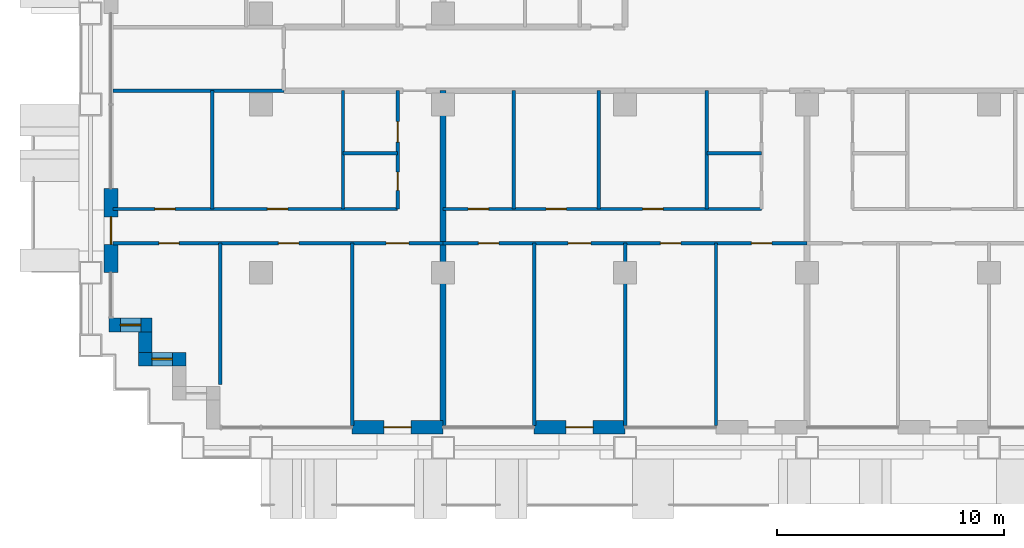
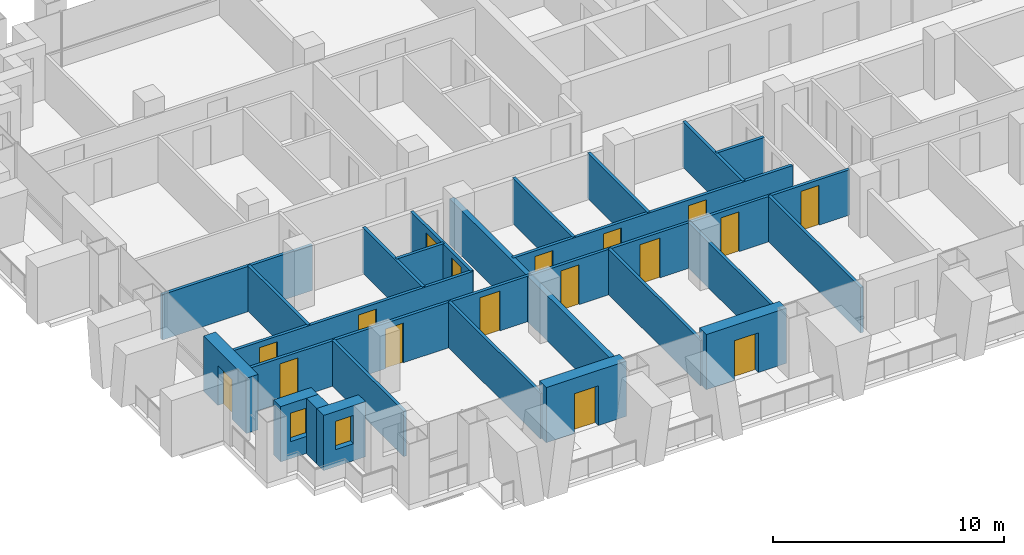
# One storey, part 9 of 19: 25 walls, 17 doors, 2 windows, 19 openings.
"""IFC4 building model written with IfcOpenShell, lengths in metres."""

from ifc_helpers import new_model, si_unit, direction, frame, frame_2d, origin, place, context, subcontext, project, spatial, rectangle, extrude, material, layer, layer_set, type_object, element, fill, save


model = new_model("IFC4")

# Units and contexts
model_context = context("Model", 3, precision=1e-05, world=origin(), true_north=direction((0.0, 1.0)))
body_context = subcontext(model_context, "Body", "Model", "MODEL_VIEW")
ifc_project = project(units=[si_unit("LENGTHUNIT", "METRE"), si_unit("AREAUNIT", "SQUARE_METRE"), si_unit("VOLUMEUNIT", "CUBIC_METRE"), si_unit("PLANEANGLEUNIT", "RADIAN"), si_unit("MASSUNIT", "GRAM", prefix="KILO")], contexts=[model_context])

# Site, building, storey
site_placement = place(None, origin())
site = spatial("IfcSite", under=ifc_project, at=site_placement, CompositionType="ELEMENT")
building_placement = place(site_placement, origin())
building = spatial("IfcBuilding", under=site, at=building_placement, Name="Vidyagriha Tower", CompositionType="ELEMENT")
storey_placement = place(building_placement, frame((0.0, 0.0, 57.60009765625)))
storey = spatial("IfcBuildingStorey", under=building, at=storey_placement, Name="L15", CompositionType="ELEMENT", Elevation=57.60009765625)

# Wall, opening, door
ifc_material_1 = material(Name="Precast concrete C40/50 with brick facing", Category="concrete")
ifc_layer_1 = layer(ifc_material_1, 0.60009765625)
ifc_layer_set_1 = layer_set([ifc_layer_1], Name="Precast concrete C40/50 with brick facing")
wall_type_1 = type_object("IfcWallType", Name="Brick-faced precast wall 600", PredefinedType="STANDARD", material=ifc_layer_set_1)
wall_1_placement = place(storey_placement, frame((-36.60009765625, -5.699951171875, 0.0), z_axis=(0.0, 0.0, 1.0), x_axis=(0.0, -1.0, 0.0)))
wall_1 = element("IfcWall", 1, at=wall_1_placement, inside=storey, type_object=wall_type_1, Name="Brick door bay wall L15 R16.6", PredefinedType="STANDARD", context=body_context, shape_type="SweptSolid", body=[
    extrude(rectangle(XDim=3.699951171875, YDim=0.60009765625, at=frame_2d((1.85009765625, 0.0))), origin(), (0.0, 0.0, 1.0), 2.919921875),
])
opening_1_placement = place(wall_1_placement, frame((1.25, 0.0, 0.0)))
opening_1 = element("IfcOpeningElement", 2, at=opening_1_placement, cuts=wall_1, Name="Opening D15-83", PredefinedType="OPENING", context=body_context, shape_type="SweptSolid", body=[
    extrude(rectangle(XDim=1.199951171875, YDim=2.10009765625, at=frame_2d((0.60009765625, 1.050048828125))), frame((0.0, 0.31005859375, 0.0), z_axis=(0.0, -1.0, 0.0), x_axis=(1.0, 0.0, 0.0)), (0.0, 0.0, 1.0), 0.6201171875),
])
ifc_material_2 = material(Name="Aluminium framed glazed sliding door", Category="aluminium")
door_type_1 = type_object("IfcDoorType", Name="Balcony sliding door 1200x2100", OperationType="NOTDEFINED", PredefinedType="DOOR", material=ifc_material_2)
door_1_placement = place(opening_1_placement, origin())
door_1 = element("IfcDoor", 3, at=door_1_placement, inside=storey, type_object=door_type_1, Name="Door D15-83", OperationType="SLIDING_TO_LEFT", OverallHeight=2.10009765625, OverallWidth=1.199951171875, PredefinedType="DOOR", context=body_context, shape_type="SweptSolid", body=[
    extrude(rectangle(XDim=1.199951171875, YDim=2.10009765625, at=frame_2d((0.60009765625, 1.050048828125))), frame((0.0, 0.02490234375, 0.0), z_axis=(0.0, -1.0, 0.0), x_axis=(1.0, 0.0, 0.0)), (0.0, 0.0, 1.0), 0.050048828125),
])
fill(opening_1, door_1)

# Wall, opening, window
wall_2_placement = place(storey_placement, frame((-36.679931640625, -11.699951171875, 0.0)))
wall_2 = element("IfcWall", 4, at=wall_2_placement, inside=storey, type_object=wall_type_1, Name="Stepped corner wall L15 R17", PredefinedType="STANDARD", context=body_context, shape_type="SweptSolid", body=[
    extrude(rectangle(XDim=1.8798828125, YDim=0.60009765625, at=frame_2d((0.93994140625, 0.0))), origin(), (0.0, 0.0, 1.0), 2.919921875),
])
opening_2_placement = place(wall_2_placement, frame((0.489990234375, 0.0, 0.89990234375)))
opening_2 = element("IfcOpeningElement", 5, at=opening_2_placement, cuts=wall_2, Name="Opening WN1", PredefinedType="OPENING", context=body_context, shape_type="SweptSolid", body=[
    extrude(rectangle(XDim=0.89990234375, YDim=1.5, at=frame_2d((0.449951171875, 0.75))), frame((0.0, 0.31005859375, 0.0), z_axis=(0.0, -1.0, 0.0), x_axis=(1.0, 0.0, 0.0)), (0.0, 0.0, 1.0), 0.6201171875),
])
ifc_material_3 = material(Name="Aluminium and glass window", Category="aluminium")
window_type = type_object("IfcWindowType", Name="Reveal window 900x1500", PartitioningType="NOTDEFINED", PredefinedType="WINDOW", material=ifc_material_3)
window_1_placement = place(opening_2_placement, origin())
window_1 = element("IfcWindow", 6, at=window_1_placement, inside=storey, type_object=window_type, Name="Reveal window L15 R17", OverallHeight=1.5, OverallWidth=0.89990234375, PartitioningType="SINGLE_PANEL", PredefinedType="WINDOW", context=body_context, shape_type="SweptSolid", body=[
    extrude(rectangle(XDim=0.89990234375, YDim=1.5, at=frame_2d((0.449951171875, 0.75))), frame((0.0, 0.030029296875, 0.0), z_axis=(0.0, -1.0, 0.0), x_axis=(1.0, 0.0, 0.0)), (0.0, 0.0, 1.0), 0.06005859375),
])
fill(opening_2, window_1)

# Wall
wall_3_placement = place(storey_placement, frame((-35.10009765625, -12.0, 0.0), z_axis=(0.0, 0.0, 1.0), x_axis=(0.0, -1.0, 0.0)))
element("IfcWall", 7, at=wall_3_placement, inside=storey, type_object=wall_type_1, Name="Stepped corner wall L15 R18", PredefinedType="STANDARD", context=body_context, shape_type="SweptSolid", body=[
    extrude(rectangle(XDim=0.89990234375, YDim=0.60009765625, at=frame_2d((0.449951171875, 0.0))), origin(), (0.0, 0.0, 1.0), 2.919921875),
])

# Wall, opening, window
wall_4_placement = place(storey_placement, frame((-35.39990234375, -13.199951171875, 0.0)))
wall_4 = element("IfcWall", 8, at=wall_4_placement, inside=storey, type_object=wall_type_1, Name="Stepped corner wall L15 R19", PredefinedType="STANDARD", context=body_context, shape_type="SweptSolid", body=[
    extrude(rectangle(XDim=2.099853515625, YDim=0.60009765625, at=frame_2d((1.0498046875, 0.0))), origin(), (0.0, 0.0, 1.0), 2.919921875),
])
opening_3_placement = place(wall_4_placement, frame((0.60009765625, 0.0, 0.89990234375)))
opening_3 = element("IfcOpeningElement", 9, at=opening_3_placement, cuts=wall_4, Name="Opening WN1", PredefinedType="OPENING", context=body_context, shape_type="SweptSolid", body=[
    extrude(rectangle(XDim=0.89990234375, YDim=1.5, at=frame_2d((0.449951171875, 0.75))), frame((0.0, 0.31005859375, 0.0), z_axis=(0.0, -1.0, 0.0), x_axis=(1.0, 0.0, 0.0)), (0.0, 0.0, 1.0), 0.6201171875),
])
window_2_placement = place(opening_3_placement, origin())
window_2 = element("IfcWindow", 10, at=window_2_placement, inside=storey, type_object=window_type, Name="Reveal window L15 R19", OverallHeight=1.5, OverallWidth=0.89990234375, PartitioningType="SINGLE_PANEL", PredefinedType="WINDOW", context=body_context, shape_type="SweptSolid", body=[
    extrude(rectangle(XDim=0.89990234375, YDim=1.5, at=frame_2d((0.449951171875, 0.75))), frame((0.0, 0.030029296875, 0.0), z_axis=(0.0, -1.0, 0.0), x_axis=(1.0, 0.0, 0.0)), (0.0, 0.0, 1.0), 0.06005859375),
])
fill(opening_3, window_2)

# Wall, opening, door
wall_5_placement = place(storey_placement, frame((-26.0, -16.199951171875, 0.0)))
wall_5 = element("IfcWall", 11, at=wall_5_placement, inside=storey, type_object=wall_type_1, Name="Brick door bay wall L15 R23.3", PredefinedType="STANDARD", context=body_context, shape_type="SweptSolid", body=[
    extrude(rectangle(XDim=4.0, YDim=0.60009765625, at=frame_2d((2.0, 0.0))), origin(), (0.0, 0.0, 1.0), 2.919921875),
])
opening_4_placement = place(wall_5_placement, frame((1.39990234375, 0.0, 0.0)))
opening_4 = element("IfcOpeningElement", 12, at=opening_4_placement, cuts=wall_5, Name="Opening D15-84", PredefinedType="OPENING", context=body_context, shape_type="SweptSolid", body=[
    extrude(rectangle(XDim=1.199951171875, YDim=2.10009765625, at=frame_2d((0.60009765625, 1.050048828125))), frame((0.0, 0.31005859375, 0.0), z_axis=(0.0, -1.0, 0.0), x_axis=(1.0, 0.0, 0.0)), (0.0, 0.0, 1.0), 0.6201171875),
])
door_2_placement = place(opening_4_placement, origin())
door_2 = element("IfcDoor", 13, at=door_2_placement, inside=storey, type_object=door_type_1, Name="Door D15-84", OperationType="SLIDING_TO_LEFT", OverallHeight=2.10009765625, OverallWidth=1.199951171875, PredefinedType="DOOR", context=body_context, shape_type="SweptSolid", body=[
    extrude(rectangle(XDim=1.199951171875, YDim=2.10009765625, at=frame_2d((0.60009765625, 1.050048828125))), frame((0.0, 0.02490234375, 0.0), z_axis=(0.0, -1.0, 0.0), x_axis=(1.0, 0.0, 0.0)), (0.0, 0.0, 1.0), 0.050048828125),
])
fill(opening_4, door_2)

wall_6_placement = place(storey_placement, frame((-18.0, -16.199951171875, 0.0)))
wall_6 = element("IfcWall", 14, at=wall_6_placement, inside=storey, type_object=wall_type_1, Name="Brick door bay wall L15 R23.5", PredefinedType="STANDARD", context=body_context, shape_type="SweptSolid", body=[
    extrude(rectangle(XDim=4.0, YDim=0.60009765625, at=frame_2d((2.0, 0.0))), origin(), (0.0, 0.0, 1.0), 2.919921875),
])
opening_5_placement = place(wall_6_placement, frame((1.39990234375, 0.0, 0.0)))
opening_5 = element("IfcOpeningElement", 15, at=opening_5_placement, cuts=wall_6, Name="Opening D15-85", PredefinedType="OPENING", context=body_context, shape_type="SweptSolid", body=[
    extrude(rectangle(XDim=1.199951171875, YDim=2.10009765625, at=frame_2d((0.60009765625, 1.050048828125))), frame((0.0, 0.31005859375, 0.0), z_axis=(0.0, -1.0, 0.0), x_axis=(1.0, 0.0, 0.0)), (0.0, 0.0, 1.0), 0.6201171875),
])
door_3_placement = place(opening_5_placement, origin())
door_3 = element("IfcDoor", 16, at=door_3_placement, inside=storey, type_object=door_type_1, Name="Door D15-85", OperationType="SLIDING_TO_LEFT", OverallHeight=2.10009765625, OverallWidth=1.199951171875, PredefinedType="DOOR", context=body_context, shape_type="SweptSolid", body=[
    extrude(rectangle(XDim=1.199951171875, YDim=2.10009765625, at=frame_2d((0.60009765625, 1.050048828125))), frame((0.0, 0.02490234375, 0.0), z_axis=(0.0, -1.0, 0.0), x_axis=(1.0, 0.0, 0.0)), (0.0, 0.0, 1.0), 0.050048828125),
])
fill(opening_5, door_3)

# Walls
ifc_material_4 = material(Name="Fired clay brick masonry", Category="masonry")
ifc_layer_2 = layer(ifc_material_4, 0.25)
ifc_layer_set_2 = layer_set([ifc_layer_2], Name="Fired clay brick masonry")
wall_type_2 = type_object("IfcWallType", Name="Fired clay brick demising wall 250", PredefinedType="PARTITIONING", material=ifc_layer_set_2)
wall_7_placement = place(storey_placement, frame((-22.0, -1.39990234375, 0.0), z_axis=(0.0, 0.0, 1.0), x_axis=(0.0, -1.0, 0.0)))
element("IfcWall", 17, at=wall_7_placement, inside=storey, type_object=wall_type_2, Name="Wall all-L15-w037", PredefinedType="PARTITIONING", context=body_context, shape_type="SweptSolid", body=[
    extrude(rectangle(XDim=14.710205078125, YDim=0.25, at=frame_2d((7.35498046875, 0.0))), origin(), (0.0, 0.0, 1.0), 2.39990234375),
])
ifc_material_5 = material(Name="Gypsum board partition")
ifc_layer_3 = layer(ifc_material_5, 0.14990234375)
ifc_layer_set_3 = layer_set([ifc_layer_3], Name="Gypsum board partition")
wall_type_3 = type_object("IfcWallType", Name="Gypsum board partition 150", PredefinedType="PARTITIONING", material=ifc_layer_set_3)
wall_8_placement = place(storey_placement, frame((-24.0, -4.14990234375, 0.0), z_axis=(0.0, 0.0, 1.0), x_axis=(-1.0, 0.0, 0.0)))
element("IfcWall", 18, at=wall_8_placement, inside=storey, type_object=wall_type_3, Name="Wall all-L15-w004", PredefinedType="PARTITIONING", context=body_context, shape_type="SweptSolid", body=[
    extrude(rectangle(XDim=2.39990234375, YDim=0.14990234375, at=frame_2d((1.199951171875, 0.0))), origin(), (0.0, 0.0, 1.0), 2.39990234375),
])
for number, where, z_axis, x_axis, name in (
    (19, (-26.39990234375, -6.60009765625, 0.0), (0.0, 0.0, 1.0), (0.0, 1.0, 0.0), "Wall all-L15-w005"),
    (20, (-32.14990234375, -6.60009765625, 0.0), (0.0, 0.0, 1.0), (0.0, 1.0, 0.0), "Wall all-L15-w006"),
):
    element("IfcWall", number, at=place(storey_placement, frame(where, z_axis=z_axis, x_axis=x_axis)), inside=storey, type_object=wall_type_3, Name=name, PredefinedType="PARTITIONING", context=body_context, shape_type="SweptSolid", body=[
        extrude(rectangle(XDim=5.2001953125, YDim=0.14990234375, at=frame_2d((2.60009765625, 0.0))), origin(), (0.0, 0.0, 1.0), 2.39990234375),
    ])

# Wall, openings, doors
wall_9_placement = place(storey_placement, frame((-36.510009765625, -6.60009765625, 0.0)))
wall_9 = element("IfcWall", 21, at=wall_9_placement, inside=storey, type_object=wall_type_3, Name="Wall all-L15-w007", PredefinedType="PARTITIONING", context=body_context, shape_type="SweptSolid", body=[
    extrude(rectangle(XDim=12.510009765625, YDim=0.14990234375, at=frame_2d((6.2548828125, 0.0))), origin(), (0.0, 0.0, 1.0), 2.39990234375),
])
opening_6_placement = place(wall_9_placement, frame((6.784912109375, 0.0, 0.0)))
opening_6 = element("IfcOpeningElement", 22, at=opening_6_placement, cuts=wall_9, Name="Opening D15-16", PredefinedType="OPENING", context=body_context, shape_type="SweptSolid", body=[
    extrude(rectangle(XDim=0.89990234375, YDim=2.10009765625, at=frame_2d((0.449951171875, 1.050048828125))), frame((0.0, 0.0849609375, 0.0), z_axis=(0.0, -1.0, 0.0), x_axis=(1.0, 0.0, 0.0)), (0.0, 0.0, 1.0), 0.169921875),
])
opening_7_placement = place(wall_9_placement, frame((1.8349609375, 0.0, 0.0)))
opening_7 = element("IfcOpeningElement", 23, at=opening_7_placement, cuts=wall_9, Name="Opening D15-17", PredefinedType="OPENING", context=body_context, shape_type="SweptSolid", body=[
    extrude(rectangle(XDim=0.89990234375, YDim=2.10009765625, at=frame_2d((0.449951171875, 1.050048828125))), frame((0.0, 0.0849609375, 0.0), z_axis=(0.0, -1.0, 0.0), x_axis=(1.0, 0.0, 0.0)), (0.0, 0.0, 1.0), 0.169921875),
])
ifc_material_6 = material(Name="Timber door leaf", Category="wood")
door_type_2 = type_object("IfcDoorType", Name="Room door 900x2100", OperationType="NOTDEFINED", PredefinedType="DOOR", material=ifc_material_6)
door_4_placement = place(opening_6_placement, origin())
door_4 = element("IfcDoor", 24, at=door_4_placement, inside=storey, type_object=door_type_2, Name="Door D15-16", OperationType="SINGLE_SWING_RIGHT", OverallHeight=2.10009765625, OverallWidth=0.89990234375, PredefinedType="DOOR", context=body_context, shape_type="SweptSolid", body=[
    extrude(rectangle(XDim=0.89990234375, YDim=2.10009765625, at=frame_2d((0.449951171875, 1.050048828125))), frame((0.0, 0.02490234375, 0.0), z_axis=(0.0, -1.0, 0.0), x_axis=(1.0, 0.0, 0.0)), (0.0, 0.0, 1.0), 0.050048828125),
])
fill(opening_6, door_4)
door_5_placement = place(opening_7_placement, origin())
door_5 = element("IfcDoor", 25, at=door_5_placement, inside=storey, type_object=door_type_2, Name="Door D15-17", OperationType="SINGLE_SWING_LEFT", OverallHeight=2.10009765625, OverallWidth=0.89990234375, PredefinedType="DOOR", context=body_context, shape_type="SweptSolid", body=[
    extrude(rectangle(XDim=0.89990234375, YDim=2.10009765625, at=frame_2d((0.449951171875, 1.050048828125))), frame((0.0, 0.02490234375, 0.0), z_axis=(0.0, -1.0, 0.0), x_axis=(1.0, 0.0, 0.0)), (0.0, 0.0, 1.0), 0.050048828125),
])
fill(opening_7, door_5)

wall_10_placement = place(storey_placement, frame((-22.0, -8.10009765625, 0.0), z_axis=(0.0, 0.0, 1.0), x_axis=(-1.0, 0.0, 0.0)))
wall_10 = element("IfcWall", 26, at=wall_10_placement, inside=storey, type_object=wall_type_3, Name="Wall all-L15-w010", PredefinedType="PARTITIONING", context=body_context, shape_type="SweptSolid", body=[
    extrude(rectangle(XDim=14.510009765625, YDim=0.14990234375, at=frame_2d((7.2548828125, 0.0))), origin(), (0.0, 0.0, 1.0), 2.39990234375),
])
opening_8_placement = place(wall_10_placement, frame((11.60009765625, 0.0, 0.0)))
opening_8 = element("IfcOpeningElement", 27, at=opening_8_placement, cuts=wall_10, Name="Opening D15-18", PredefinedType="OPENING", context=body_context, shape_type="SweptSolid", body=[
    extrude(rectangle(XDim=0.89990234375, YDim=2.10009765625, at=frame_2d((0.449951171875, 1.050048828125))), frame((0.0, 0.0849609375, 0.0), z_axis=(0.0, -1.0, 0.0), x_axis=(1.0, 0.0, 0.0)), (0.0, 0.0, 1.0), 0.169921875),
])
opening_9_placement = place(wall_10_placement, frame((6.340087890625, 0.0, 0.0)))
opening_9 = element("IfcOpeningElement", 28, at=opening_9_placement, cuts=wall_10, Name="Opening D15-19", PredefinedType="OPENING", context=body_context, shape_type="SweptSolid", body=[
    extrude(rectangle(XDim=0.89990234375, YDim=2.10009765625, at=frame_2d((0.449951171875, 1.050048828125))), frame((0.0, 0.0849609375, 0.0), z_axis=(0.0, -1.0, 0.0), x_axis=(1.0, 0.0, 0.0)), (0.0, 0.0, 1.0), 0.169921875),
])
opening_10_placement = place(wall_10_placement, frame((1.5, 0.0, 0.0)))
opening_10 = element("IfcOpeningElement", 29, at=opening_10_placement, cuts=wall_10, Name="Opening D15-20", PredefinedType="OPENING", context=body_context, shape_type="SweptSolid", body=[
    extrude(rectangle(XDim=1.0, YDim=2.10009765625, at=frame_2d((0.5, 1.050048828125))), frame((0.0, 0.0849609375, 0.0), z_axis=(0.0, -1.0, 0.0), x_axis=(1.0, 0.0, 0.0)), (0.0, 0.0, 1.0), 0.169921875),
])
ifc_material_7 = material(Name="Timber door leaf", Category="wood")
door_type_3 = type_object("IfcDoorType", Name="Room door 1000x2100", OperationType="NOTDEFINED", PredefinedType="DOOR", material=ifc_material_7)
door_6_placement = place(opening_10_placement, origin())
door_6 = element("IfcDoor", 30, at=door_6_placement, inside=storey, type_object=door_type_3, Name="Door D15-20", OperationType="SINGLE_SWING_RIGHT", OverallHeight=2.10009765625, OverallWidth=1.0, PredefinedType="DOOR", context=body_context, shape_type="SweptSolid", body=[
    extrude(rectangle(XDim=1.0, YDim=2.10009765625, at=frame_2d((0.5, 1.050048828125))), frame((0.0, 0.02490234375, 0.0), z_axis=(0.0, -1.0, 0.0), x_axis=(1.0, 0.0, 0.0)), (0.0, 0.0, 1.0), 0.050048828125),
])
fill(opening_10, door_6)
door_7_placement = place(opening_8_placement, origin())
door_7 = element("IfcDoor", 31, at=door_7_placement, inside=storey, type_object=door_type_2, Name="Door D15-18", OperationType="SINGLE_SWING_LEFT", OverallHeight=2.10009765625, OverallWidth=0.89990234375, PredefinedType="DOOR", context=body_context, shape_type="SweptSolid", body=[
    extrude(rectangle(XDim=0.89990234375, YDim=2.10009765625, at=frame_2d((0.449951171875, 1.050048828125))), frame((0.0, 0.02490234375, 0.0), z_axis=(0.0, -1.0, 0.0), x_axis=(1.0, 0.0, 0.0)), (0.0, 0.0, 1.0), 0.050048828125),
])
fill(opening_8, door_7)
door_8_placement = place(opening_9_placement, origin())
door_8 = element("IfcDoor", 32, at=door_8_placement, inside=storey, type_object=door_type_2, Name="Door D15-19", OperationType="SINGLE_SWING_LEFT", OverallHeight=2.10009765625, OverallWidth=0.89990234375, PredefinedType="DOOR", context=body_context, shape_type="SweptSolid", body=[
    extrude(rectangle(XDim=0.89990234375, YDim=2.10009765625, at=frame_2d((0.449951171875, 1.050048828125))), frame((0.0, 0.02490234375, 0.0), z_axis=(0.0, -1.0, 0.0), x_axis=(1.0, 0.0, 0.0)), (0.0, 0.0, 1.0), 0.050048828125),
])
fill(opening_9, door_8)

# Walls
wall_11_placement = place(storey_placement, frame((-31.800048828125, -8.10009765625, 0.0), z_axis=(0.0, 0.0, 1.0), x_axis=(0.0, -1.0, 0.0)))
element("IfcWall", 33, at=wall_11_placement, inside=storey, type_object=wall_type_3, Name="Wall all-L15-w014", PredefinedType="PARTITIONING", context=body_context, shape_type="SweptSolid", body=[
    extrude(rectangle(XDim=6.219970703125, YDim=0.14990234375, at=frame_2d((3.10986328125, 0.0))), origin(), (0.0, 0.0, 1.0), 2.39990234375),
])
wall_12_placement = place(storey_placement, frame((-26.0, -8.10009765625, 0.0), z_axis=(0.0, 0.0, 1.0), x_axis=(0.0, -1.0, 0.0)))
element("IfcWall", 34, at=wall_12_placement, inside=storey, type_object=wall_type_3, Name="Wall all-L15-w015", PredefinedType="PARTITIONING", context=body_context, shape_type="SweptSolid", body=[
    extrude(rectangle(XDim=8.02099609375, YDim=0.14990234375, at=frame_2d((4.010498046875, 0.0))), origin(), (0.0, 0.0, 1.0), 2.39990234375),
])
wall_13_placement = place(storey_placement, frame((-8.0, -4.14990234375, 0.0), z_axis=(0.0, 0.0, 1.0), x_axis=(-1.0, 0.0, 0.0)))
element("IfcWall", 35, at=wall_13_placement, inside=storey, type_object=wall_type_3, Name="Wall all-L15-w020", PredefinedType="PARTITIONING", context=body_context, shape_type="SweptSolid", body=[
    extrude(rectangle(XDim=2.39990234375, YDim=0.14990234375, at=frame_2d((1.199951171875, 0.0))), origin(), (0.0, 0.0, 1.0), 2.39990234375),
])
for number, where, z_axis, x_axis, name in (
    (36, (-10.39990234375, -6.60009765625, 0.0), (0.0, 0.0, 1.0), (0.0, 1.0, 0.0), "Wall all-L15-w021"),
    (37, (-15.14990234375, -6.60009765625, 0.0), (0.0, 0.0, 1.0), (0.0, 1.0, 0.0), "Wall all-L15-w022"),
    (38, (-18.89990234375, -6.60009765625, 0.0), (0.0, 0.0, 1.0), (0.0, 1.0, 0.0), "Wall all-L15-w023"),
):
    element("IfcWall", number, at=place(storey_placement, frame(where, z_axis=z_axis, x_axis=x_axis)), inside=storey, type_object=wall_type_3, Name=name, PredefinedType="PARTITIONING", context=body_context, shape_type="SweptSolid", body=[
        extrude(rectangle(XDim=5.2001953125, YDim=0.14990234375, at=frame_2d((2.60009765625, 0.0))), origin(), (0.0, 0.0, 1.0), 2.39990234375),
    ])

# Wall, openings, doors
wall_14_placement = place(storey_placement, frame((-22.0, -6.60009765625, 0.0)))
wall_14 = element("IfcWall", 39, at=wall_14_placement, inside=storey, type_object=wall_type_3, Name="Wall all-L15-w024", PredefinedType="PARTITIONING", context=body_context, shape_type="SweptSolid", body=[
    extrude(rectangle(XDim=14.0, YDim=0.14990234375, at=frame_2d((7.0, 0.0))), origin(), (0.0, 0.0, 1.0), 2.39990234375),
])
opening_11_placement = place(wall_14_placement, frame((8.77490234375, 0.0, 0.0)))
opening_11 = element("IfcOpeningElement", 40, at=opening_11_placement, cuts=wall_14, Name="Opening D15-24", PredefinedType="OPENING", context=body_context, shape_type="SweptSolid", body=[
    extrude(rectangle(XDim=0.89990234375, YDim=2.10009765625, at=frame_2d((0.449951171875, 1.050048828125))), frame((0.0, 0.0849609375, 0.0), z_axis=(0.0, -1.0, 0.0), x_axis=(1.0, 0.0, 0.0)), (0.0, 0.0, 1.0), 0.169921875),
])
opening_12_placement = place(wall_14_placement, frame((4.52490234375, 0.0, 0.0)))
opening_12 = element("IfcOpeningElement", 41, at=opening_12_placement, cuts=wall_14, Name="Opening D15-25", PredefinedType="OPENING", context=body_context, shape_type="SweptSolid", body=[
    extrude(rectangle(XDim=0.89990234375, YDim=2.10009765625, at=frame_2d((0.449951171875, 1.050048828125))), frame((0.0, 0.0849609375, 0.0), z_axis=(0.0, -1.0, 0.0), x_axis=(1.0, 0.0, 0.0)), (0.0, 0.0, 1.0), 0.169921875),
])
opening_13_placement = place(wall_14_placement, frame((1.10009765625, 0.0, 0.0)))
opening_13 = element("IfcOpeningElement", 42, at=opening_13_placement, cuts=wall_14, Name="Opening D15-26", PredefinedType="OPENING", context=body_context, shape_type="SweptSolid", body=[
    extrude(rectangle(XDim=0.89990234375, YDim=2.10009765625, at=frame_2d((0.449951171875, 1.050048828125))), frame((0.0, 0.0849609375, 0.0), z_axis=(0.0, -1.0, 0.0), x_axis=(1.0, 0.0, 0.0)), (0.0, 0.0, 1.0), 0.169921875),
])
door_9_placement = place(opening_11_placement, origin())
door_9 = element("IfcDoor", 43, at=door_9_placement, inside=storey, type_object=door_type_2, Name="Door D15-24", OperationType="SINGLE_SWING_RIGHT", OverallHeight=2.10009765625, OverallWidth=0.89990234375, PredefinedType="DOOR", context=body_context, shape_type="SweptSolid", body=[
    extrude(rectangle(XDim=0.89990234375, YDim=2.10009765625, at=frame_2d((0.449951171875, 1.050048828125))), frame((0.0, 0.02490234375, 0.0), z_axis=(0.0, -1.0, 0.0), x_axis=(1.0, 0.0, 0.0)), (0.0, 0.0, 1.0), 0.050048828125),
])
fill(opening_11, door_9)
door_10_placement = place(opening_12_placement, origin())
door_10 = element("IfcDoor", 44, at=door_10_placement, inside=storey, type_object=door_type_2, Name="Door D15-25", OperationType="SINGLE_SWING_RIGHT", OverallHeight=2.10009765625, OverallWidth=0.89990234375, PredefinedType="DOOR", context=body_context, shape_type="SweptSolid", body=[
    extrude(rectangle(XDim=0.89990234375, YDim=2.10009765625, at=frame_2d((0.449951171875, 1.050048828125))), frame((0.0, 0.02490234375, 0.0), z_axis=(0.0, -1.0, 0.0), x_axis=(1.0, 0.0, 0.0)), (0.0, 0.0, 1.0), 0.050048828125),
])
fill(opening_12, door_10)
door_11_placement = place(opening_13_placement, origin())
door_11 = element("IfcDoor", 45, at=door_11_placement, inside=storey, type_object=door_type_2, Name="Door D15-26", OperationType="SINGLE_SWING_RIGHT", OverallHeight=2.10009765625, OverallWidth=0.89990234375, PredefinedType="DOOR", context=body_context, shape_type="SweptSolid", body=[
    extrude(rectangle(XDim=0.89990234375, YDim=2.10009765625, at=frame_2d((0.449951171875, 1.050048828125))), frame((0.0, 0.02490234375, 0.0), z_axis=(0.0, -1.0, 0.0), x_axis=(1.0, 0.0, 0.0)), (0.0, 0.0, 1.0), 0.050048828125),
])
fill(opening_13, door_11)

wall_15_placement = place(storey_placement, frame((-6.0, -8.10009765625, 0.0), z_axis=(0.0, 0.0, 1.0), x_axis=(-1.0, 0.0, 0.0)))
wall_15 = element("IfcWall", 46, at=wall_15_placement, inside=storey, type_object=wall_type_3, Name="Wall all-L15-w028", PredefinedType="PARTITIONING", context=body_context, shape_type="SweptSolid", body=[
    extrude(rectangle(XDim=16.0, YDim=0.14990234375, at=frame_2d((8.0, 0.0))), origin(), (0.0, 0.0, 1.0), 2.39990234375),
])
opening_14_placement = place(wall_15_placement, frame((13.550048828125, 0.0, 0.0)))
opening_14 = element("IfcOpeningElement", 47, at=opening_14_placement, cuts=wall_15, Name="Opening D15-27", PredefinedType="OPENING", context=body_context, shape_type="SweptSolid", body=[
    extrude(rectangle(XDim=0.89990234375, YDim=2.10009765625, at=frame_2d((0.449951171875, 1.050048828125))), frame((0.0, 0.0849609375, 0.0), z_axis=(0.0, -1.0, 0.0), x_axis=(1.0, 0.0, 0.0)), (0.0, 0.0, 1.0), 0.169921875),
])
opening_15_placement = place(wall_15_placement, frame((9.5, 0.0, 0.0)))
opening_15 = element("IfcOpeningElement", 48, at=opening_15_placement, cuts=wall_15, Name="Opening D15-28", PredefinedType="OPENING", context=body_context, shape_type="SweptSolid", body=[
    extrude(rectangle(XDim=1.0, YDim=2.10009765625, at=frame_2d((0.5, 1.050048828125))), frame((0.0, 0.0849609375, 0.0), z_axis=(0.0, -1.0, 0.0), x_axis=(1.0, 0.0, 0.0)), (0.0, 0.0, 1.0), 0.169921875),
])
opening_16_placement = place(wall_15_placement, frame((5.550048828125, 0.0, 0.0)))
opening_16 = element("IfcOpeningElement", 49, at=opening_16_placement, cuts=wall_15, Name="Opening D15-29", PredefinedType="OPENING", context=body_context, shape_type="SweptSolid", body=[
    extrude(rectangle(XDim=0.89990234375, YDim=2.10009765625, at=frame_2d((0.449951171875, 1.050048828125))), frame((0.0, 0.0849609375, 0.0), z_axis=(0.0, -1.0, 0.0), x_axis=(1.0, 0.0, 0.0)), (0.0, 0.0, 1.0), 0.169921875),
])
opening_17_placement = place(wall_15_placement, frame((1.550048828125, 0.0, 0.0)))
opening_17 = element("IfcOpeningElement", 50, at=opening_17_placement, cuts=wall_15, Name="Opening D15-30", PredefinedType="OPENING", context=body_context, shape_type="SweptSolid", body=[
    extrude(rectangle(XDim=0.89990234375, YDim=2.10009765625, at=frame_2d((0.449951171875, 1.050048828125))), frame((0.0, 0.0849609375, 0.0), z_axis=(0.0, -1.0, 0.0), x_axis=(1.0, 0.0, 0.0)), (0.0, 0.0, 1.0), 0.169921875),
])
door_12_placement = place(opening_15_placement, origin())
door_12 = element("IfcDoor", 51, at=door_12_placement, inside=storey, type_object=door_type_3, Name="Door D15-28", OperationType="SINGLE_SWING_RIGHT", OverallHeight=2.10009765625, OverallWidth=1.0, PredefinedType="DOOR", context=body_context, shape_type="SweptSolid", body=[
    extrude(rectangle(XDim=1.0, YDim=2.10009765625, at=frame_2d((0.5, 1.050048828125))), frame((0.0, 0.02490234375, 0.0), z_axis=(0.0, -1.0, 0.0), x_axis=(1.0, 0.0, 0.0)), (0.0, 0.0, 1.0), 0.050048828125),
])
fill(opening_15, door_12)
door_13_placement = place(opening_14_placement, origin())
door_13 = element("IfcDoor", 52, at=door_13_placement, inside=storey, type_object=door_type_2, Name="Door D15-27", OperationType="SINGLE_SWING_RIGHT", OverallHeight=2.10009765625, OverallWidth=0.89990234375, PredefinedType="DOOR", context=body_context, shape_type="SweptSolid", body=[
    extrude(rectangle(XDim=0.89990234375, YDim=2.10009765625, at=frame_2d((0.449951171875, 1.050048828125))), frame((0.0, 0.02490234375, 0.0), z_axis=(0.0, -1.0, 0.0), x_axis=(1.0, 0.0, 0.0)), (0.0, 0.0, 1.0), 0.050048828125),
])
fill(opening_14, door_13)
door_14_placement = place(opening_16_placement, origin())
door_14 = element("IfcDoor", 53, at=door_14_placement, inside=storey, type_object=door_type_2, Name="Door D15-29", OperationType="SINGLE_SWING_RIGHT", OverallHeight=2.10009765625, OverallWidth=0.89990234375, PredefinedType="DOOR", context=body_context, shape_type="SweptSolid", body=[
    extrude(rectangle(XDim=0.89990234375, YDim=2.10009765625, at=frame_2d((0.449951171875, 1.050048828125))), frame((0.0, 0.02490234375, 0.0), z_axis=(0.0, -1.0, 0.0), x_axis=(1.0, 0.0, 0.0)), (0.0, 0.0, 1.0), 0.050048828125),
])
fill(opening_16, door_14)
door_15_placement = place(opening_17_placement, origin())
door_15 = element("IfcDoor", 54, at=door_15_placement, inside=storey, type_object=door_type_2, Name="Door D15-30", OperationType="SINGLE_SWING_RIGHT", OverallHeight=2.10009765625, OverallWidth=0.89990234375, PredefinedType="DOOR", context=body_context, shape_type="SweptSolid", body=[
    extrude(rectangle(XDim=0.89990234375, YDim=2.10009765625, at=frame_2d((0.449951171875, 1.050048828125))), frame((0.0, 0.02490234375, 0.0), z_axis=(0.0, -1.0, 0.0), x_axis=(1.0, 0.0, 0.0)), (0.0, 0.0, 1.0), 0.050048828125),
])
fill(opening_17, door_15)

# Walls
wall_16_placement = place(storey_placement, frame((-18.0, -8.10009765625, 0.0), z_axis=(0.0, 0.0, 1.0), x_axis=(0.0, -1.0, 0.0)))
element("IfcWall", 55, at=wall_16_placement, inside=storey, type_object=wall_type_3, Name="Wall all-L15-w033", PredefinedType="PARTITIONING", context=body_context, shape_type="SweptSolid", body=[
    extrude(rectangle(XDim=8.02099609375, YDim=0.14990234375, at=frame_2d((4.010498046875, 0.0))), origin(), (0.0, 0.0, 1.0), 2.39990234375),
])
wall_17_placement = place(storey_placement, frame((-14.0, -8.10009765625, 0.0), z_axis=(0.0, 0.0, 1.0), x_axis=(0.0, -1.0, 0.0)))
element("IfcWall", 56, at=wall_17_placement, inside=storey, type_object=wall_type_3, Name="Wall all-L15-w034", PredefinedType="PARTITIONING", context=body_context, shape_type="SweptSolid", body=[
    extrude(rectangle(XDim=8.010009765625, YDim=0.14990234375, at=frame_2d((4.0048828125, 0.0))), origin(), (0.0, 0.0, 1.0), 2.39990234375),
])
wall_18_placement = place(storey_placement, frame((-10.0, -8.10009765625, 0.0), z_axis=(0.0, 0.0, 1.0), x_axis=(0.0, -1.0, 0.0)))
element("IfcWall", 57, at=wall_18_placement, inside=storey, type_object=wall_type_3, Name="Wall all-L15-w035", PredefinedType="PARTITIONING", context=body_context, shape_type="SweptSolid", body=[
    extrude(rectangle(XDim=8.02099609375, YDim=0.14990234375, at=frame_2d((4.010498046875, 0.0))), origin(), (0.0, 0.0, 1.0), 2.39990234375),
])
wall_19_placement = place(storey_placement, frame((-29.0, -1.39990234375, 0.0), z_axis=(0.0, 0.0, 1.0), x_axis=(-1.0, 0.0, 0.0)))
element("IfcWall", 58, at=wall_19_placement, inside=storey, type_object=wall_type_3, Name="Wall all-L15-w094", PredefinedType="PARTITIONING", context=body_context, shape_type="SweptSolid", body=[
    extrude(rectangle(XDim=7.52001953125, YDim=0.14990234375, at=frame_2d((3.760009765625, 0.0))), origin(), (0.0, 0.0, 1.0), 2.39990234375),
])

# Wall, openings, doors
ifc_material_8 = material(Name="Moisture resistant gypsum board partition")
ifc_layer_4 = layer(ifc_material_8, 0.14990234375)
ifc_layer_set_4 = layer_set([ifc_layer_4], Name="Moisture resistant gypsum board partition")
wall_type_4 = type_object("IfcWallType", Name="Gypsum board wet-area partition 150", PredefinedType="PARTITIONING", material=ifc_layer_set_4)
wall_20_placement = place(storey_placement, frame((-24.0, -6.60009765625, 0.0), z_axis=(0.0, 0.0, 1.0), x_axis=(0.0, 1.0, 0.0)))
wall_20 = element("IfcWall", 59, at=wall_20_placement, inside=storey, type_object=wall_type_4, Name="Wall all-L15-w001", PredefinedType="PARTITIONING", context=body_context, shape_type="SweptSolid", body=[
    extrude(rectangle(XDim=5.2001953125, YDim=0.14990234375, at=frame_2d((2.60009765625, 0.0))), origin(), (0.0, 0.0, 1.0), 2.39990234375),
])
opening_18_placement = place(wall_20_placement, frame((2.93994140625, 0.0, 0.0)))
opening_18 = element("IfcOpeningElement", 60, at=opening_18_placement, cuts=wall_20, Name="Opening D15-14", PredefinedType="OPENING", context=body_context, shape_type="SweptSolid", body=[
    extrude(rectangle(XDim=0.89990234375, YDim=2.10009765625, at=frame_2d((0.449951171875, 1.050048828125))), frame((0.0, 0.0849609375, 0.0), z_axis=(0.0, -1.0, 0.0), x_axis=(1.0, 0.0, 0.0)), (0.0, 0.0, 1.0), 0.169921875),
])
opening_19_placement = place(wall_20_placement, frame((0.824951171875, 0.0, 0.0)))
opening_19 = element("IfcOpeningElement", 61, at=opening_19_placement, cuts=wall_20, Name="Opening D15-15", PredefinedType="OPENING", context=body_context, shape_type="SweptSolid", body=[
    extrude(rectangle(XDim=0.800048828125, YDim=2.10009765625, at=frame_2d((0.39990234375, 1.050048828125))), frame((0.0, 0.0849609375, 0.0), z_axis=(0.0, -1.0, 0.0), x_axis=(1.0, 0.0, 0.0)), (0.0, 0.0, 1.0), 0.169921875),
])
ifc_material_9 = material(Name="Timber door leaf", Category="wood")
door_type_4 = type_object("IfcDoorType", Name="Bathroom door 800x2100", OperationType="NOTDEFINED", PredefinedType="DOOR", material=ifc_material_9)
door_16_placement = place(opening_19_placement, origin())
door_16 = element("IfcDoor", 62, at=door_16_placement, inside=storey, type_object=door_type_4, Name="Door D15-15", OperationType="SINGLE_SWING_RIGHT", OverallHeight=2.10009765625, OverallWidth=0.800048828125, PredefinedType="DOOR", context=body_context, shape_type="SweptSolid", body=[
    extrude(rectangle(XDim=0.800048828125, YDim=2.10009765625, at=frame_2d((0.39990234375, 1.050048828125))), frame((0.0, 0.02490234375, 0.0), z_axis=(0.0, -1.0, 0.0), x_axis=(1.0, 0.0, 0.0)), (0.0, 0.0, 1.0), 0.050048828125),
])
fill(opening_19, door_16)
ifc_material_10 = material(Name="Timber door leaf", Category="wood")
door_type_5 = type_object("IfcDoorType", Name="Kitchen door 900x2100", OperationType="NOTDEFINED", PredefinedType="DOOR", material=ifc_material_10)
door_17_placement = place(opening_18_placement, origin())
door_17 = element("IfcDoor", 63, at=door_17_placement, inside=storey, type_object=door_type_5, Name="Door D15-14", OperationType="SINGLE_SWING_LEFT", OverallHeight=2.10009765625, OverallWidth=0.89990234375, PredefinedType="DOOR", context=body_context, shape_type="SweptSolid", body=[
    extrude(rectangle(XDim=0.89990234375, YDim=2.10009765625, at=frame_2d((0.449951171875, 1.050048828125))), frame((0.0, 0.02490234375, 0.0), z_axis=(0.0, -1.0, 0.0), x_axis=(1.0, 0.0, 0.0)), (0.0, 0.0, 1.0), 0.050048828125),
])
fill(opening_18, door_17)

save(model, "model.ifc")
